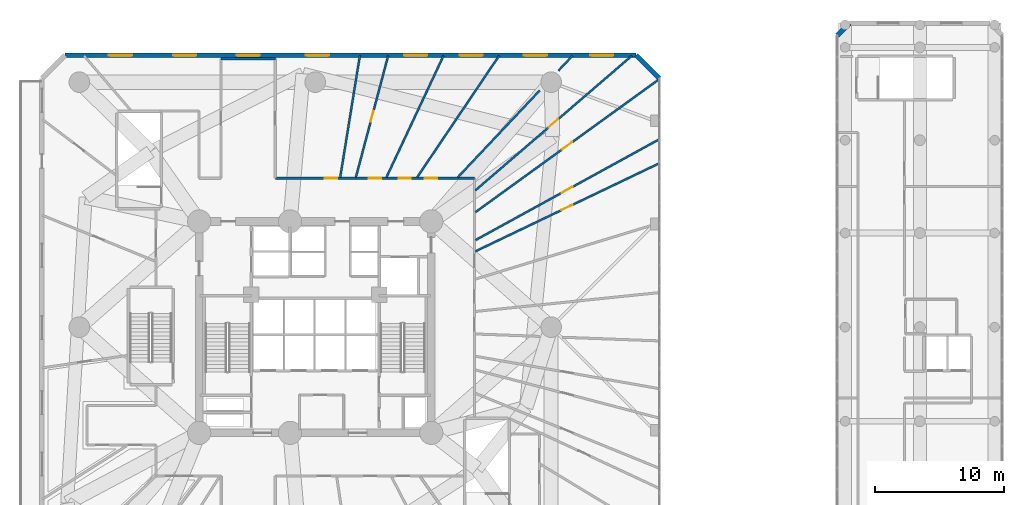
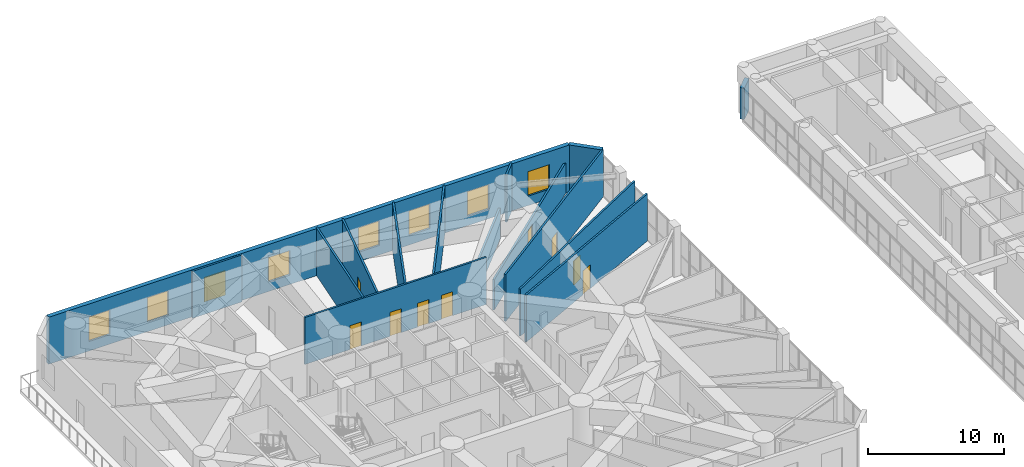
# One storey, part 17 of 22: 15 walls, 9 doors, 8 windows, 17 openings.
"""IFC4 building model written with IfcOpenShell, lengths in metres."""

from ifc_helpers import new_model, si_unit, direction, frame, frame_2d, origin, origin_with_axes, place, context, subcontext, project, spatial, rectangle, extrude, source, transform, mapped, material, layer, layer_set, type_object, element, fill, save


model = new_model("IFC4")

# Units and contexts
model_context = context("Model", 3, precision=1e-05, world=origin(), true_north=direction((0.0, 1.0)))
body_context = subcontext(model_context, "Body", "Model", "MODEL_VIEW")
ifc_project = project(units=[si_unit("LENGTHUNIT", "METRE"), si_unit("AREAUNIT", "SQUARE_METRE"), si_unit("VOLUMEUNIT", "CUBIC_METRE"), si_unit("PLANEANGLEUNIT", "RADIAN"), si_unit("MASSUNIT", "GRAM", prefix="KILO")], contexts=[model_context])

# Site, building, storey
site_placement = place(None, origin())
site = spatial("IfcSite", under=ifc_project, at=site_placement, CompositionType="ELEMENT")
building_placement = place(site_placement, origin())
building = spatial("IfcBuilding", under=site, at=building_placement, Name="Karkom Vertical University and Central Library", CompositionType="ELEMENT")
storey_placement = place(building_placement, frame((0.0, 0.0, 18.0)))
storey = spatial("IfcBuildingStorey", under=building, at=storey_placement, Name="L04", CompositionType="ELEMENT", Elevation=18.0)

# Wall
ifc_material_1 = material(Name="Brick masonry 360mm insulated cavity", Category="masonry")
ifc_layer_1 = layer(ifc_material_1, 0.360107421875)
ifc_layer_set_1 = layer_set([ifc_layer_1], Name="Brick masonry 360mm insulated cavity")
wall_type_1 = type_object("IfcWallType", Name="ENV-WL-BRK-360", PredefinedType="SOLIDWALL", material=ifc_layer_set_1)
wall_1_placement = place(storey_placement, frame((55.199951171875, 45.800048828125, 0.0), z_axis=(0.0, 0.0, 1.0), x_axis=(-0.707106781187, 0.707106781187, 0.0)))
element("IfcWall", 1, at=wall_1_placement, inside=storey, type_object=wall_type_1, Name="Level 04 POD Terracotta Brick Facade Wall 04", PredefinedType="SOLIDWALL", context=body_context, shape_type="SweptSolid", body=[
    extrude(rectangle(XDim=2.545654296875, YDim=0.360107421875, at=frame_2d((1.27294921875, 0.0))), origin(), (0.0, 0.0, 1.0), 4.22509765625),
])

# Wall, openings, windows
wall_2_placement = place(storey_placement, frame((53.39990234375, 47.60009765625, 0.0), z_axis=(0.0, 0.0, 1.0), x_axis=(-1.0, 0.0, 0.0)))
wall_2 = element("IfcWall", 2, at=wall_2_placement, inside=storey, type_object=wall_type_1, Name="Level 04 POD Terracotta Brick Facade Wall 05", PredefinedType="SOLIDWALL", context=body_context, shape_type="SweptSolid", body=[
    extrude(rectangle(XDim=44.2998046875, YDim=0.360107421875, at=frame_2d((22.14990234375, 0.0))), origin(), (0.0, 0.0, 1.0), 4.22509765625),
])
opening_1_placement = place(wall_2_placement, frame((1.76318359375, 0.0, 0.85009765625)))
opening_1 = element("IfcOpeningElement", 3, at=opening_1_placement, cuts=wall_2, Name="Opening WN-01", PredefinedType="OPENING", context=body_context, shape_type="SweptSolid", body=[
    extrude(rectangle(XDim=1.800048828125, YDim=2.199951171875, at=frame_2d((0.89990234375, 1.10009765625))), frame((0.0, 0.18994140625, 0.0), z_axis=(0.0, -1.0, 0.0), x_axis=(1.0, 0.0, 0.0)), (0.0, 0.0, 1.0), 0.380126953125),
])
opening_2_placement = place(wall_2_placement, frame((6.906005859375, 0.0, 0.85009765625)))
opening_2 = element("IfcOpeningElement", 4, at=opening_2_placement, cuts=wall_2, Name="Opening WN-01", PredefinedType="OPENING", context=body_context, shape_type="SweptSolid", body=[
    extrude(rectangle(XDim=1.800048828125, YDim=2.199951171875, at=frame_2d((0.89990234375, 1.10009765625))), frame((0.0, 0.18994140625, 0.0), z_axis=(0.0, -1.0, 0.0), x_axis=(1.0, 0.0, 0.0)), (0.0, 0.0, 1.0), 0.380126953125),
])
opening_3_placement = place(wall_2_placement, frame((11.903076171875, 0.0, 0.85009765625)))
opening_3 = element("IfcOpeningElement", 5, at=opening_3_placement, cuts=wall_2, Name="Opening WN-01", PredefinedType="OPENING", context=body_context, shape_type="SweptSolid", body=[
    extrude(rectangle(XDim=1.800048828125, YDim=2.199951171875, at=frame_2d((0.89990234375, 1.10009765625))), frame((0.0, 0.18994140625, 0.0), z_axis=(0.0, -1.0, 0.0), x_axis=(1.0, 0.0, 0.0)), (0.0, 0.0, 1.0), 0.380126953125),
])
opening_4_placement = place(wall_2_placement, frame((16.2001953125, 0.0, 0.85009765625)))
opening_4 = element("IfcOpeningElement", 6, at=opening_4_placement, cuts=wall_2, Name="Opening WN-01", PredefinedType="OPENING", context=body_context, shape_type="SweptSolid", body=[
    extrude(rectangle(XDim=1.800048828125, YDim=2.199951171875, at=frame_2d((0.89990234375, 1.10009765625))), frame((0.0, 0.18994140625, 0.0), z_axis=(0.0, -1.0, 0.0), x_axis=(1.0, 0.0, 0.0)), (0.0, 0.0, 1.0), 0.380126953125),
])
opening_5_placement = place(wall_2_placement, frame((23.820068359375, 0.0, 0.85009765625)))
opening_5 = element("IfcOpeningElement", 7, at=opening_5_placement, cuts=wall_2, Name="Opening WN-01", PredefinedType="OPENING", context=body_context, shape_type="SweptSolid", body=[
    extrude(rectangle(XDim=1.800048828125, YDim=2.199951171875, at=frame_2d((0.89990234375, 1.10009765625))), frame((0.0, 0.18994140625, 0.0), z_axis=(0.0, -1.0, 0.0), x_axis=(1.0, 0.0, 0.0)), (0.0, 0.0, 1.0), 0.380126953125),
])
opening_6_placement = place(wall_2_placement, frame((29.199951171875, 0.0, 0.85009765625)))
opening_6 = element("IfcOpeningElement", 8, at=opening_6_placement, cuts=wall_2, Name="Opening WN-01", PredefinedType="OPENING", context=body_context, shape_type="SweptSolid", body=[
    extrude(rectangle(XDim=1.800048828125, YDim=2.199951171875, at=frame_2d((0.89990234375, 1.10009765625))), frame((0.0, 0.18994140625, 0.0), z_axis=(0.0, -1.0, 0.0), x_axis=(1.0, 0.0, 0.0)), (0.0, 0.0, 1.0), 0.380126953125),
])
opening_7_placement = place(wall_2_placement, frame((34.11328125, 0.0, 0.85009765625)))
opening_7 = element("IfcOpeningElement", 9, at=opening_7_placement, cuts=wall_2, Name="Opening WN-01", PredefinedType="OPENING", context=body_context, shape_type="SweptSolid", body=[
    extrude(rectangle(XDim=1.800048828125, YDim=2.199951171875, at=frame_2d((0.89990234375, 1.10009765625))), frame((0.0, 0.18994140625, 0.0), z_axis=(0.0, -1.0, 0.0), x_axis=(1.0, 0.0, 0.0)), (0.0, 0.0, 1.0), 0.380126953125),
])
opening_8_placement = place(wall_2_placement, frame((39.099609375, 0.0, 0.85009765625)))
opening_8 = element("IfcOpeningElement", 10, at=opening_8_placement, cuts=wall_2, Name="Opening WN-01", PredefinedType="OPENING", context=body_context, shape_type="SweptSolid", body=[
    extrude(rectangle(XDim=1.800048828125, YDim=2.199951171875, at=frame_2d((0.89990234375, 1.10009765625))), frame((0.0, 0.18994140625, 0.0), z_axis=(0.0, -1.0, 0.0), x_axis=(1.0, 0.0, 0.0)), (0.0, 0.0, 1.0), 0.380126953125),
])
ifc_material_2 = material(Name="Aluminium thermal-break frame with solar-control IGU", Category="aluminium")
window_type = type_object("IfcWindowType", Name="ENV-WIN-WN-01", PartitioningType="SINGLE_PANEL", PredefinedType="WINDOW", material=ifc_material_2)
shared_shape_1 = source(origin_with_axes(), body_context, "Body", "SweptSolid", [
    extrude(rectangle(XDim=1.800048828125, YDim=2.199951171875, at=frame_2d((0.89990234375, 1.10009765625))), frame((0.0, 0.030029296875, 0.0), z_axis=(0.0, -1.0, 0.0), x_axis=(1.0, 0.0, 0.0)), (0.0, 0.0, 1.0), 0.06005859375),
])
window_1_placement = place(opening_1_placement, origin())
window_1 = element("IfcWindow", 11, at=window_1_placement, inside=storey, type_object=window_type, Name="Level 04 POD Punched Window 01", OverallHeight=2.199951171875, OverallWidth=1.800048828125, PartitioningType="SINGLE_PANEL", PredefinedType="WINDOW", context=body_context, shape_type="MappedRepresentation", body=[
    mapped(shared_shape_1, transform((0.0, 0.0, 0.0), scale=1.0)),
])
fill(opening_1, window_1)
window_2_placement = place(opening_2_placement, origin())
window_2 = element("IfcWindow", 12, at=window_2_placement, inside=storey, type_object=window_type, Name="Level 04 POD Punched Window 02", OverallHeight=2.199951171875, OverallWidth=1.800048828125, PartitioningType="SINGLE_PANEL", PredefinedType="WINDOW", context=body_context, shape_type="MappedRepresentation", body=[
    mapped(shared_shape_1, transform((0.0, 0.0, 0.0), scale=1.0)),
])
fill(opening_2, window_2)
window_3_placement = place(opening_3_placement, origin())
window_3 = element("IfcWindow", 13, at=window_3_placement, inside=storey, type_object=window_type, Name="Level 04 POD Punched Window 03", OverallHeight=2.199951171875, OverallWidth=1.800048828125, PartitioningType="SINGLE_PANEL", PredefinedType="WINDOW", context=body_context, shape_type="MappedRepresentation", body=[
    mapped(shared_shape_1, transform((0.0, 0.0, 0.0), scale=1.0)),
])
fill(opening_3, window_3)
window_4_placement = place(opening_4_placement, origin())
window_4 = element("IfcWindow", 14, at=window_4_placement, inside=storey, type_object=window_type, Name="Level 04 POD Punched Window 04", OverallHeight=2.199951171875, OverallWidth=1.800048828125, PartitioningType="SINGLE_PANEL", PredefinedType="WINDOW", context=body_context, shape_type="MappedRepresentation", body=[
    mapped(shared_shape_1, transform((0.0, 0.0, 0.0), scale=1.0)),
])
fill(opening_4, window_4)
window_5_placement = place(opening_5_placement, origin())
window_5 = element("IfcWindow", 15, at=window_5_placement, inside=storey, type_object=window_type, Name="Level 04 POD Punched Window 05", OverallHeight=2.199951171875, OverallWidth=1.800048828125, PartitioningType="SINGLE_PANEL", PredefinedType="WINDOW", context=body_context, shape_type="MappedRepresentation", body=[
    mapped(shared_shape_1, transform((0.0, 0.0, 0.0), scale=1.0)),
])
fill(opening_5, window_5)
window_6_placement = place(opening_6_placement, origin())
window_6 = element("IfcWindow", 16, at=window_6_placement, inside=storey, type_object=window_type, Name="Level 04 POD Punched Window 06", OverallHeight=2.199951171875, OverallWidth=1.800048828125, PartitioningType="SINGLE_PANEL", PredefinedType="WINDOW", context=body_context, shape_type="MappedRepresentation", body=[
    mapped(shared_shape_1, transform((0.0, 0.0, 0.0), scale=1.0)),
])
fill(opening_6, window_6)
window_7_placement = place(opening_7_placement, origin())
window_7 = element("IfcWindow", 17, at=window_7_placement, inside=storey, type_object=window_type, Name="Level 04 POD Punched Window 07", OverallHeight=2.199951171875, OverallWidth=1.800048828125, PartitioningType="SINGLE_PANEL", PredefinedType="WINDOW", context=body_context, shape_type="MappedRepresentation", body=[
    mapped(shared_shape_1, transform((0.0, 0.0, 0.0), scale=1.0)),
])
fill(opening_7, window_7)
window_8_placement = place(opening_8_placement, origin())
window_8 = element("IfcWindow", 18, at=window_8_placement, inside=storey, type_object=window_type, Name="Level 04 POD Punched Window 08", OverallHeight=2.199951171875, OverallWidth=1.800048828125, PartitioningType="SINGLE_PANEL", PredefinedType="WINDOW", context=body_context, shape_type="MappedRepresentation", body=[
    mapped(shared_shape_1, transform((0.0, 0.0, 0.0), scale=1.0)),
])
fill(opening_8, window_8)

# Wall
wall_3_placement = place(storey_placement, frame((69.949951171875, 50.080078125, 0.0), z_axis=(0.0, 0.0, 1.0), x_axis=(-0.707015922623, -0.707197628077, 0.0)))
element("IfcWall", 19, at=wall_3_placement, inside=storey, type_object=wall_type_1, Name="Level 04 LIB Terracotta Brick Facade Wall 06", PredefinedType="SOLIDWALL", context=body_context, shape_type="SweptSolid", body=[
    extrude(rectangle(XDim=1.343505859375, YDim=0.360107421875, at=frame_2d((0.671875, 0.0))), origin(), (0.0, 0.0, 1.0), 2.824951171875),
])

# Wall, opening, door
ifc_material_3 = material(Name="Insulated metal-stud drywall 160mm", Category="gypsum")
ifc_layer_2 = layer(ifc_material_3, 0.159912109375)
ifc_layer_set_2 = layer_set([ifc_layer_2], Name="Insulated metal-stud drywall 160mm")
wall_type_2 = type_object("IfcWallType", Name="INT-WL-COR-160", PredefinedType="PARTITIONING", material=ifc_layer_set_2)
wall_4_placement = place(storey_placement, frame((40.931884765625, 35.422607421875, 0.0), z_axis=(0.0, 0.0, 1.0), x_axis=(0.810128766866, 0.586251977477, 0.0)))
wall_4 = element("IfcWall", 20, at=wall_4_placement, inside=storey, type_object=wall_type_2, Name="Level 04 Interior Partition Wall Level 04-PODW-22-23-1", PredefinedType="PARTITIONING", context=body_context, shape_type="SweptSolid", body=[
    extrude(rectangle(XDim=17.56591796875, YDim=0.159912109375, at=frame_2d((8.782958984375, 0.0))), origin(), (0.0, 0.0, 1.0), 4.22509765625),
])
opening_9_placement = place(wall_4_placement, frame((8.29052734375, 0.0, 0.0)))
opening_9 = element("IfcOpeningElement", 21, at=opening_9_placement, cuts=wall_4, Name="Opening FD-RM2", PredefinedType="OPENING", context=body_context, shape_type="SweptSolid", body=[
    extrude(rectangle(XDim=0.9599609375, YDim=2.14990234375, at=frame_2d((0.47998046875, 1.074951171875))), frame((0.0, 0.08984375, 0.0), z_axis=(0.0, -1.0, 0.0), x_axis=(1.0, 0.0, 0.0)), (0.0, 0.0, 1.0), 0.179931640625),
])
ifc_material_4 = material(Name="Fire-rated oak veneer door", Category="wood")
door_type_1 = type_object("IfcDoorType", Name="INT-DR-FRM2", OperationType="NOTDEFINED", PredefinedType="DOOR", material=ifc_material_4)
shared_shape_2 = source(origin_with_axes(), body_context, "Body", "SweptSolid", [
    extrude(rectangle(XDim=0.9599609375, YDim=2.14990234375, at=frame_2d((0.47998046875, 1.074951171875))), frame((0.0, 0.02490234375, 0.0), z_axis=(0.0, -1.0, 0.0), x_axis=(1.0, 0.0, 0.0)), (0.0, 0.0, 1.0), 0.050048828125),
])
door_1_placement = place(opening_9_placement, origin())
door_1 = element("IfcDoor", 22, at=door_1_placement, inside=storey, type_object=door_type_1, Name="Level 04 Room Entry Door 822", OperationType="SINGLE_SWING_RIGHT", OverallHeight=2.14990234375, OverallWidth=0.9599609375, PredefinedType="DOOR", context=body_context, shape_type="MappedRepresentation", body=[
    mapped(shared_shape_2, transform((0.0, 0.0, 0.0), scale=1.0)),
])
fill(opening_9, door_1)

wall_5_placement = place(storey_placement, frame((40.931884765625, 33.251708984375, 0.0), z_axis=(0.0, 0.0, 1.0), x_axis=(0.876735097535, 0.480973563463, 0.0)))
wall_5 = element("IfcWall", 23, at=wall_5_placement, inside=storey, type_object=wall_type_2, Name="Level 04 Interior Partition Wall Level 04-PODW-21-22-1", PredefinedType="PARTITIONING", context=body_context, shape_type="SweptSolid", body=[
    extrude(rectangle(XDim=16.236572265625, YDim=0.159912109375, at=frame_2d((8.1181640625, 0.0))), origin(), (0.0, 0.0, 1.0), 4.22509765625),
])
opening_10_placement = place(wall_5_placement, frame((7.625732421875, 0.0, 0.0)))
opening_10 = element("IfcOpeningElement", 24, at=opening_10_placement, cuts=wall_5, Name="Opening FD-RM2", PredefinedType="OPENING", context=body_context, shape_type="SweptSolid", body=[
    extrude(rectangle(XDim=0.9599609375, YDim=2.14990234375, at=frame_2d((0.47998046875, 1.074951171875))), frame((0.0, 0.08984375, 0.0), z_axis=(0.0, -1.0, 0.0), x_axis=(1.0, 0.0, 0.0)), (0.0, 0.0, 1.0), 0.179931640625),
])
door_2_placement = place(opening_10_placement, origin())
door_2 = element("IfcDoor", 25, at=door_2_placement, inside=storey, type_object=door_type_1, Name="Level 04 Room Entry Door 821", OperationType="SINGLE_SWING_LEFT", OverallHeight=2.14990234375, OverallWidth=0.9599609375, PredefinedType="DOOR", context=body_context, shape_type="MappedRepresentation", body=[
    mapped(shared_shape_2, transform((0.0, 0.0, 0.0), scale=1.0)),
])
fill(opening_10, door_2)

wall_6_placement = place(storey_placement, frame((40.920654296875, 37.10693359375, 0.0), z_axis=(0.0, 0.0, 1.0), x_axis=(0.758049080964, 0.65219750908, 0.0)))
wall_6 = element("IfcWall", 26, at=wall_6_placement, inside=storey, type_object=wall_type_2, Name="Level 04 Interior Partition Wall Level 04-PODW-23-24-1", PredefinedType="PARTITIONING", context=body_context, shape_type="SweptSolid", body=[
    extrude(rectangle(XDim=16.015869140625, YDim=0.159912109375, at=frame_2d((8.0078125, 0.0))), origin(), (0.0, 0.0, 1.0), 2.72509765625),
])
opening_11_placement = place(wall_6_placement, frame((7.5078125, 0.0, 0.0)))
opening_11 = element("IfcOpeningElement", 27, at=opening_11_placement, cuts=wall_6, Name="Opening FD-RM2", PredefinedType="OPENING", context=body_context, shape_type="SweptSolid", body=[
    extrude(rectangle(XDim=0.9599609375, YDim=2.14990234375, at=frame_2d((0.47998046875, 1.074951171875))), frame((0.0, 0.08984375, 0.0), z_axis=(0.0, -1.0, 0.0), x_axis=(1.0, 0.0, 0.0)), (0.0, 0.0, 1.0), 0.179931640625),
])
door_3_placement = place(opening_11_placement, origin())
door_3 = element("IfcDoor", 28, at=door_3_placement, inside=storey, type_object=door_type_1, Name="Level 04 Room Entry Door 823", OperationType="SINGLE_SWING_LEFT", OverallHeight=2.14990234375, OverallWidth=0.9599609375, PredefinedType="DOOR", context=body_context, shape_type="MappedRepresentation", body=[
    mapped(shared_shape_2, transform((0.0, 0.0, 0.0), scale=1.0)),
])
fill(opening_11, door_3)

wall_7_placement = place(storey_placement, frame((40.91845703125, 32.37841796875, 0.0), z_axis=(0.0, 0.0, 1.0), x_axis=(0.901975422738, 0.431787374499, 0.0)))
wall_7 = element("IfcWall", 29, at=wall_7_placement, inside=storey, type_object=wall_type_2, Name="Level 04 Interior Partition Wall Level 04-PODW-20-21-1", PredefinedType="PARTITIONING", context=body_context, shape_type="SweptSolid", body=[
    extrude(rectangle(XDim=15.798828125, YDim=0.159912109375, at=frame_2d((7.8994140625, 0.0))), origin(), (0.0, 0.0, 1.0), 4.22509765625),
])
opening_12_placement = place(wall_7_placement, frame((7.3994140625, 0.0, 0.0)))
opening_12 = element("IfcOpeningElement", 30, at=opening_12_placement, cuts=wall_7, Name="Opening FD-RM2", PredefinedType="OPENING", context=body_context, shape_type="SweptSolid", body=[
    extrude(rectangle(XDim=0.9599609375, YDim=2.14990234375, at=frame_2d((0.47998046875, 1.074951171875))), frame((0.0, 0.08984375, 0.0), z_axis=(0.0, -1.0, 0.0), x_axis=(1.0, 0.0, 0.0)), (0.0, 0.0, 1.0), 0.179931640625),
])
door_4_placement = place(opening_12_placement, origin())
door_4 = element("IfcDoor", 31, at=door_4_placement, inside=storey, type_object=door_type_1, Name="Level 04 Room Entry Door 820", OperationType="SINGLE_SWING_RIGHT", OverallHeight=2.14990234375, OverallWidth=0.9599609375, PredefinedType="DOOR", context=body_context, shape_type="MappedRepresentation", body=[
    mapped(shared_shape_2, transform((0.0, 0.0, 0.0), scale=1.0)),
])
fill(opening_12, door_4)

# Wall, openings, doors
wall_8_placement = place(storey_placement, frame((25.39990234375, 38.050048828125, 0.0), z_axis=(0.0, 0.0, 1.0), x_axis=(1.0, 0.0, 0.0)))
wall_8 = element("IfcWall", 32, at=wall_8_placement, inside=storey, type_object=wall_type_2, Name="Level 04 Interior Partition Wall Level 04-PDCW-CW-008", PredefinedType="PARTITIONING", context=body_context, shape_type="SweptSolid", body=[
    extrude(rectangle(XDim=15.4501953125, YDim=0.159912109375, at=frame_2d((7.72509765625, 0.0))), origin(), (0.0, 0.0, 1.0), 4.22509765625),
])
opening_13_placement = place(wall_8_placement, frame((11.6025390625, 0.0, 0.0)))
opening_13 = element("IfcOpeningElement", 33, at=opening_13_placement, cuts=wall_8, Name="Opening FD-RM2", PredefinedType="OPENING", context=body_context, shape_type="SweptSolid", body=[
    extrude(rectangle(XDim=0.9599609375, YDim=2.14990234375, at=frame_2d((0.47998046875, 1.074951171875))), frame((0.0, 0.08984375, 0.0), z_axis=(0.0, -1.0, 0.0), x_axis=(1.0, 0.0, 0.0)), (0.0, 0.0, 1.0), 0.179931640625),
])
opening_14_placement = place(wall_8_placement, frame((9.5673828125, 0.0, 0.0)))
opening_14 = element("IfcOpeningElement", 34, at=opening_14_placement, cuts=wall_8, Name="Opening FD-RM2", PredefinedType="OPENING", context=body_context, shape_type="SweptSolid", body=[
    extrude(rectangle(XDim=0.9599609375, YDim=2.14990234375, at=frame_2d((0.47998046875, 1.074951171875))), frame((0.0, 0.08984375, 0.0), z_axis=(0.0, -1.0, 0.0), x_axis=(1.0, 0.0, 0.0)), (0.0, 0.0, 1.0), 0.179931640625),
])
opening_15_placement = place(wall_8_placement, frame((7.25, 0.0, 0.0)))
opening_15 = element("IfcOpeningElement", 35, at=opening_15_placement, cuts=wall_8, Name="Opening FD-RM2", PredefinedType="OPENING", context=body_context, shape_type="SweptSolid", body=[
    extrude(rectangle(XDim=0.9599609375, YDim=2.14990234375, at=frame_2d((0.47998046875, 1.074951171875))), frame((0.0, 0.08984375, 0.0), z_axis=(0.0, -1.0, 0.0), x_axis=(1.0, 0.0, 0.0)), (0.0, 0.0, 1.0), 0.179931640625),
])
opening_16_placement = place(wall_8_placement, frame((3.842529296875, 0.0, 0.0)))
opening_16 = element("IfcOpeningElement", 36, at=opening_16_placement, cuts=wall_8, Name="Opening FD-RM2", PredefinedType="OPENING", context=body_context, shape_type="SweptSolid", body=[
    extrude(rectangle(XDim=0.9599609375, YDim=2.14990234375, at=frame_2d((0.47998046875, 1.074951171875))), frame((0.0, 0.08984375, 0.0), z_axis=(0.0, -1.0, 0.0), x_axis=(1.0, 0.0, 0.0)), (0.0, 0.0, 1.0), 0.179931640625),
])
door_5_placement = place(opening_13_placement, origin())
door_5 = element("IfcDoor", 37, at=door_5_placement, inside=storey, type_object=door_type_1, Name="Level 04 Room Entry Door 824", OperationType="SINGLE_SWING_RIGHT", OverallHeight=2.14990234375, OverallWidth=0.9599609375, PredefinedType="DOOR", context=body_context, shape_type="MappedRepresentation", body=[
    mapped(shared_shape_2, transform((0.0, 0.0, 0.0), scale=1.0)),
])
fill(opening_13, door_5)
door_6_placement = place(opening_14_placement, origin())
door_6 = element("IfcDoor", 38, at=door_6_placement, inside=storey, type_object=door_type_1, Name="Level 04 Room Entry Door 825", OperationType="SINGLE_SWING_LEFT", OverallHeight=2.14990234375, OverallWidth=0.9599609375, PredefinedType="DOOR", context=body_context, shape_type="MappedRepresentation", body=[
    mapped(shared_shape_2, transform((0.0, 0.0, 0.0), scale=1.0)),
])
fill(opening_14, door_6)
door_7_placement = place(opening_15_placement, origin())
door_7 = element("IfcDoor", 39, at=door_7_placement, inside=storey, type_object=door_type_1, Name="Level 04 Room Entry Door 826", OperationType="SINGLE_SWING_RIGHT", OverallHeight=2.14990234375, OverallWidth=0.9599609375, PredefinedType="DOOR", context=body_context, shape_type="MappedRepresentation", body=[
    mapped(shared_shape_2, transform((0.0, 0.0, 0.0), scale=1.0)),
])
fill(opening_15, door_7)
door_8_placement = place(opening_16_placement, origin())
door_8 = element("IfcDoor", 40, at=door_8_placement, inside=storey, type_object=door_type_1, Name="Level 04 Room Entry Door 827", OperationType="SINGLE_SWING_LEFT", OverallHeight=2.14990234375, OverallWidth=0.9599609375, PredefinedType="DOOR", context=body_context, shape_type="MappedRepresentation", body=[
    mapped(shared_shape_2, transform((0.0, 0.0, 0.0), scale=1.0)),
])
fill(opening_16, door_8)

# Walls
wall_9_placement = place(storey_placement, frame((36.411865234375, 38.132080078125, 0.0), z_axis=(0.0, 0.0, 1.0), x_axis=(0.558878812171, 0.829249343266, 0.0)))
element("IfcWall", 41, at=wall_9_placement, inside=storey, type_object=wall_type_2, Name="Level 04 Interior Partition Wall Level 04-PODW-25-26-1", PredefinedType="PARTITIONING", context=body_context, shape_type="SweptSolid", body=[
    extrude(rectangle(XDim=11.3740234375, YDim=0.159912109375, at=frame_2d((5.68701171875, 0.0))), origin(), (0.0, 0.0, 1.0), 4.22509765625),
])
wall_10_placement = place(storey_placement, frame((34.022216796875, 38.118408203125, 0.0), z_axis=(0.0, 0.0, 1.0), x_axis=(0.425022104768, 0.905182970707, 0.0)))
element("IfcWall", 42, at=wall_10_placement, inside=storey, type_object=wall_type_2, Name="Level 04 Interior Partition Wall Level 04-PODW-26-27-1", PredefinedType="PARTITIONING", context=body_context, shape_type="SweptSolid", body=[
    extrude(rectangle(XDim=10.440673828125, YDim=0.159912109375, at=frame_2d((5.22021484375, 0.0))), origin(), (0.0, 0.0, 1.0), 4.22509765625),
])

# Wall, opening, door
wall_11_placement = place(storey_placement, frame((31.654296875, 38.132080078125, 0.0), z_axis=(0.0, 0.0, 1.0), x_axis=(0.256922135408, 0.966432106429, 0.0)))
wall_11 = element("IfcWall", 43, at=wall_11_placement, inside=storey, type_object=wall_type_2, Name="Level 04 Interior Partition Wall Level 04-PODW-27-28-1", PredefinedType="PARTITIONING", context=body_context, shape_type="SweptSolid", body=[
    extrude(rectangle(XDim=9.7685546875, YDim=0.159912109375, at=frame_2d((4.88427734375, 0.0))), origin(), (0.0, 0.0, 1.0), 4.22509765625),
])
opening_17_placement = place(wall_11_placement, frame((4.454345703125, 0.0, 0.0)))
opening_17 = element("IfcOpeningElement", 44, at=opening_17_placement, cuts=wall_11, Name="Opening FD-BTH2", PredefinedType="OPENING", context=body_context, shape_type="SweptSolid", body=[
    extrude(rectangle(XDim=0.860107421875, YDim=2.0400390625, at=frame_2d((0.43017578125, 1.02001953125))), frame((0.0, 0.08984375, 0.0), z_axis=(0.0, -1.0, 0.0), x_axis=(1.0, 0.0, 0.0)), (0.0, 0.0, 1.0), 0.179931640625),
])
ifc_material_5 = material(Name="Fire-rated moisture-resistant oak door", Category="wood")
door_type_2 = type_object("IfcDoorType", Name="INT-DR-FBTH2", OperationType="NOTDEFINED", PredefinedType="DOOR", material=ifc_material_5)
shared_shape_3 = source(origin_with_axes(), body_context, "Body", "SweptSolid", [
    extrude(rectangle(XDim=0.860107421875, YDim=2.0400390625, at=frame_2d((0.43017578125, 1.02001953125))), frame((0.0, 0.02490234375, 0.0), z_axis=(0.0, -1.0, 0.0), x_axis=(1.0, 0.0, 0.0)), (0.0, 0.0, 1.0), 0.050048828125),
])
door_9_placement = place(opening_17_placement, origin())
door_9 = element("IfcDoor", 45, at=door_9_placement, inside=storey, type_object=door_type_2, Name="Level 04 Senior Architecture Classroom Entry Door", OperationType="SINGLE_SWING_LEFT", OverallHeight=2.0400390625, OverallWidth=0.860107421875, PredefinedType="DOOR", context=body_context, shape_type="MappedRepresentation", body=[
    mapped(shared_shape_3, transform((0.0, 0.0, 0.0), scale=1.0)),
])
fill(opening_17, door_9)

# Walls
wall_12_placement = place(storey_placement, frame((30.4375, 38.1171875, 0.0), z_axis=(0.0, 0.0, 1.0), x_axis=(0.159512072126, 0.987195977932, 0.0)))
element("IfcWall", 46, at=wall_12_placement, inside=storey, type_object=wall_type_2, Name="Level 04 Interior Partition Wall Level 04-PODW-28-29-1", PredefinedType="PARTITIONING", context=body_context, shape_type="SweptSolid", body=[
    extrude(rectangle(XDim=9.57958984375, YDim=0.159912109375, at=frame_2d((4.789794921875, 0.0))), origin(), (0.0, 0.0, 1.0), 4.22509765625),
])
wall_13_placement = place(storey_placement, frame((39.55419921875, 38.12109375, 0.0), z_axis=(0.0, 0.0, 1.0), x_axis=(0.686483369139, 0.727145503937, 0.0)))
element("IfcWall", 47, at=wall_13_placement, inside=storey, type_object=wall_type_2, Name="Level 04 Interior Partition Wall Level 04-PODW-24-25-2", PredefinedType="PARTITIONING", context=body_context, shape_type="SweptSolid", body=[
    extrude(rectangle(XDim=9.25830078125, YDim=0.159912109375, at=frame_2d((4.629150390625, 0.0))), origin(), (0.0, 0.0, 1.0), 2.72509765625),
])
wall_14_placement = place(storey_placement, frame((21.199951171875, 47.320068359375, 0.0), z_axis=(0.0, 0.0, 1.0), x_axis=(1.0, 0.0, 0.0)))
element("IfcWall", 48, at=wall_14_placement, inside=storey, type_object=wall_type_2, Name="Level 04 Interior Partition Wall Level 04-PDCW-CW-006", PredefinedType="PARTITIONING", context=body_context, shape_type="SweptSolid", body=[
    extrude(rectangle(XDim=4.199951171875, YDim=0.159912109375, at=frame_2d((2.10009765625, 0.0))), origin(), (0.0, 0.0, 1.0), 4.22509765625),
])
wall_15_placement = place(storey_placement, frame((47.36083984375, 46.389892578125, 0.0), z_axis=(0.0, 0.0, 1.0), x_axis=(0.686511880057, 0.727118586299, 0.0)))
element("IfcWall", 49, at=wall_15_placement, inside=storey, type_object=wall_type_2, Name="Level 04 Interior Partition Wall Level 04-PODW-24-25-1", PredefinedType="PARTITIONING", context=body_context, shape_type="SweptSolid", body=[
    extrude(rectangle(XDim=1.605224609375, YDim=0.159912109375, at=frame_2d((0.802734375, 0.0))), origin(), (0.0, 0.0, 1.0), 4.22509765625),
])

save(model, "model.ifc")
